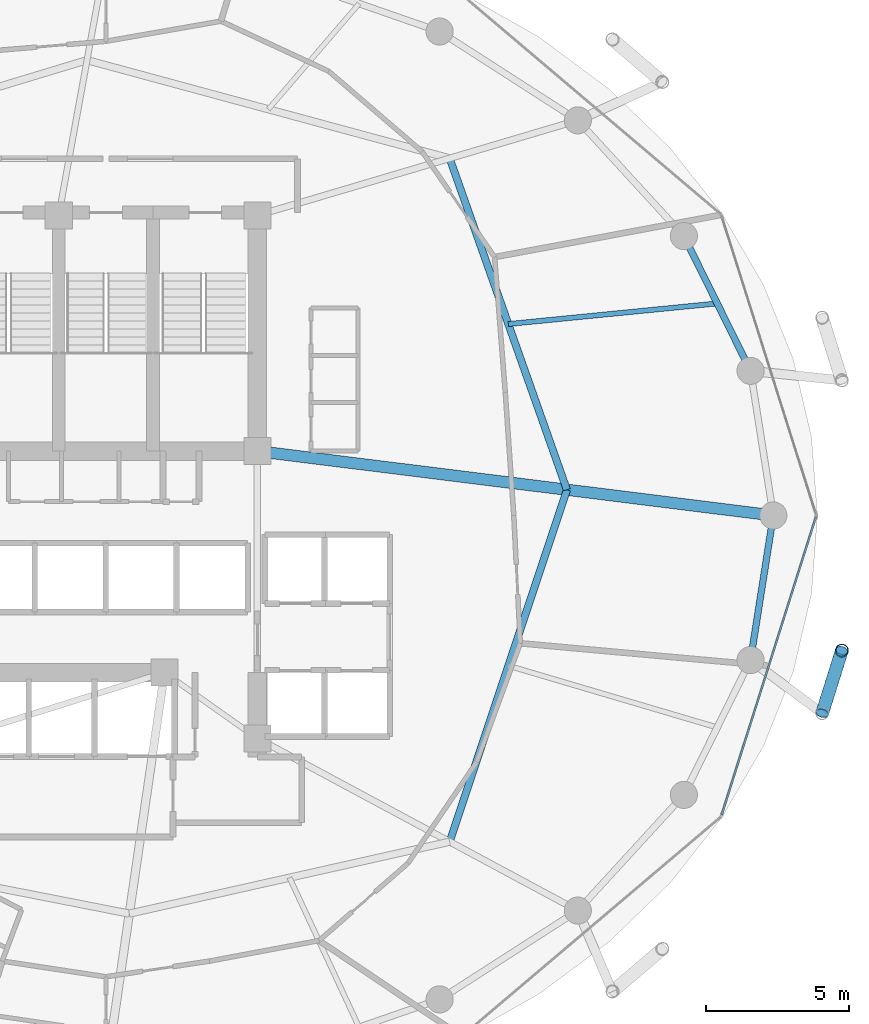
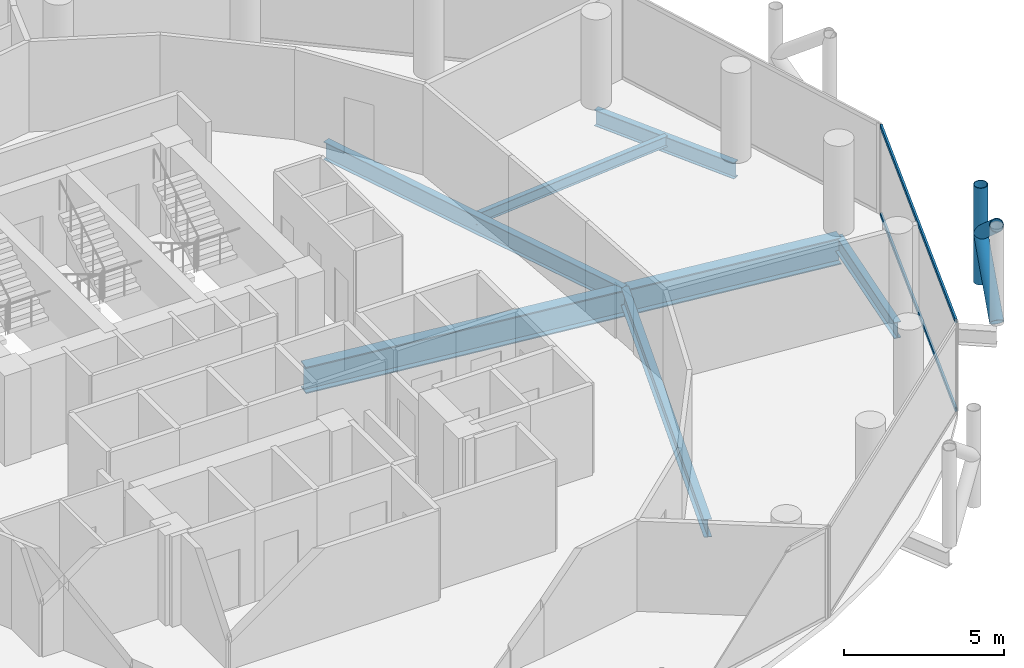
# One storey, part 11 of 26: 6 beams, 5 members, 1 element without a shape of its own.
"""IFC4 building model written with IfcOpenShell, lengths in metres."""

from ifc_helpers import new_model, si_unit, direction, frame, origin, origin_2d, place, context, subcontext, project, spatial, hollow_rectangle, hollow_circle, i_section, extrude, material, layer, layer_set, material_profile, profile_set, type_object, element, aggregate, save


model = new_model("IFC4")

# Units and contexts
model_context = context("Model", 3, precision=1e-05, world=origin(), true_north=direction((0.0, 1.0)))
body_context = subcontext(model_context, "Body", "Model", "MODEL_VIEW")
ifc_project = project(units=[si_unit("LENGTHUNIT", "METRE"), si_unit("AREAUNIT", "SQUARE_METRE"), si_unit("VOLUMEUNIT", "CUBIC_METRE"), si_unit("PLANEANGLEUNIT", "RADIAN"), si_unit("MASSUNIT", "GRAM", prefix="KILO")], contexts=[model_context])

# Site, building, storey
site_placement = place(None, origin())
site = spatial("IfcSite", under=ifc_project, at=site_placement, CompositionType="ELEMENT")
building_placement = place(site_placement, origin())
building = spatial("IfcBuilding", under=site, at=building_placement, Name="Nuhasar Tower", CompositionType="ELEMENT")
storey_placement = place(building_placement, frame((0.0, 0.0, 162.64990234375)))
storey = spatial("IfcBuildingStorey", under=building, at=storey_placement, Name="L39", CompositionType="ELEMENT", Elevation=162.64990234375)

# Beams
ifc_material_1 = material(Name="Steel S355", Category="steel")
ifc_material_profile_1 = material_profile(ifc_material_1, i_section(OverallWidth=0.25390625, OverallDepth=0.68408203125, WebThickness=0.012451171875, FlangeThickness=0.018798828125, at=origin_2d()), Name="W27X94")
ifc_profile_set_1 = profile_set([ifc_material_profile_1], Name="Steel S355")
beam_type_1 = type_object("IfcBeamType", Name="BM-INRING-W27X94", PredefinedType="BEAM", material=ifc_profile_set_1)
beam_1_placement = place(storey_placement, frame((51.027099609375, 15.385986328125, -0.591796875), z_axis=(0.31609797573, 0.948726551615, 0.0), x_axis=(-0.948726551615, 0.31609797573, 0.0)))
element("IfcBeam", 1, at=beam_1_placement, inside=storey, type_object=beam_type_1, Name="L39 Inner Header Beam 03", PredefinedType="BEAM", context=body_context, shape_type="SweptSolid", body=[
    extrude(i_section(OverallWidth=0.25390625, OverallDepth=0.68408203125, WebThickness=0.012451171875, FlangeThickness=0.018798828125, at=origin_2d()), origin(), (0.0, 0.0, 1.0), 12.9794921875),
])
beam_2_placement = place(storey_placement, frame((55.1298828125, 27.699951171875, -0.591796875), z_axis=(-0.333599821096, 0.942714781556, 0.0), x_axis=(-0.942714781556, -0.333599821096, 0.0)))
element("IfcBeam", 2, at=beam_2_placement, inside=storey, type_object=beam_type_1, Name="L39 Inner Header Beam 04", PredefinedType="BEAM", context=body_context, shape_type="SweptSolid", body=[
    extrude(i_section(OverallWidth=0.25390625, OverallDepth=0.68408203125, WebThickness=0.012451171875, FlangeThickness=0.018798828125, at=origin_2d()), origin(), (0.0, 0.0, 1.0), 12.298583984375),
])
ifc_material_profile_2 = material_profile(ifc_material_1, i_section(OverallWidth=0.177978515625, OverallDepth=0.406005859375, WebThickness=0.0078125, FlangeThickness=0.0126953125, at=origin_2d()), Name="W16X40")
ifc_profile_set_2 = profile_set([ifc_material_profile_2], Name="Steel S355")
beam_type_2 = type_object("IfcBeamType", Name="BM-JST-W16X40", PredefinedType="JOIST", material=ifc_profile_set_2)
beam_3_placement = place(storey_placement, frame((53.0791015625, 33.4970703125, -0.452880859375), z_axis=(0.995170244515, 0.098164068947, 0.0), x_axis=(-0.098164068947, 0.995170244515, 0.0)))
element("IfcBeam", 3, at=beam_3_placement, inside=storey, type_object=beam_type_2, Name="L39 Secondary Floor Joist 04", PredefinedType="JOIST", context=body_context, shape_type="SweptSolid", body=[
    extrude(i_section(OverallWidth=0.177978515625, OverallDepth=0.406005859375, WebThickness=0.0078125, FlangeThickness=0.0126953125, at=origin_2d()), origin(), (0.0, 0.0, 1.0), 7.34423828125),
])
ifc_material_profile_3 = material_profile(ifc_material_1, i_section(OverallWidth=0.22998046875, OverallDepth=0.616943359375, WebThickness=0.01318359375, FlangeThickness=0.022216796875, at=origin_2d()), Name="W24X94")
ifc_profile_set_3 = profile_set([ifc_material_profile_3], Name="Steel S355")
beam_type_3 = type_object("IfcBeamType", Name="BM-RING-W24X94", PredefinedType="SPANDREL", material=ifc_profile_set_3)
beam_4_placement = place(storey_placement, frame((61.553955078125, 31.860107421875, -0.558837890625), z_axis=(-0.443347771709, 0.896349682501, 0.0), x_axis=(-0.896349682501, -0.443347771709, 0.0)))
element("IfcBeam", 4, at=beam_4_placement, inside=storey, type_object=beam_type_3, Name="L39 Perimeter Ring Spandrel 02", PredefinedType="SPANDREL", context=body_context, shape_type="SweptSolid", body=[
    extrude(i_section(OverallWidth=0.22998046875, OverallDepth=0.616943359375, WebThickness=0.01318359375, FlangeThickness=0.022216796875, at=origin_2d()), origin(), (0.0, 0.0, 1.0), 5.260009765625),
])
beam_5_placement = place(storey_placement, frame((61.553955078125, 21.739990234375, -0.558837890625), z_axis=(0.155426543608, 0.987847452566, 0.0), x_axis=(-0.987847452566, 0.155426543608, 0.0)))
element("IfcBeam", 5, at=beam_5_placement, inside=storey, type_object=beam_type_3, Name="L39 Perimeter Ring Spandrel 24", PredefinedType="SPANDREL", context=body_context, shape_type="SweptSolid", body=[
    extrude(i_section(OverallWidth=0.22998046875, OverallDepth=0.616943359375, WebThickness=0.01318359375, FlangeThickness=0.022216796875, at=origin_2d()), origin(), (0.0, 0.0, 1.0), 5.122314453125),
])
ifc_material_2 = material(Name="Steel S460", Category="steel")
ifc_material_profile_4 = material_profile(ifc_material_2, i_section(OverallWidth=0.40087890625, OverallDepth=1.010009765625, WebThickness=0.023681640625, FlangeThickness=0.0419921875, at=origin_2d()), Name="W40X297")
ifc_profile_set_4 = profile_set([ifc_material_profile_4], Name="Steel S460")
beam_type_4 = type_object("IfcBeamType", Name="BM-XFER-W40X297", PredefinedType="USERDEFINED", material=ifc_profile_set_4)
beam_6_placement = place(storey_placement, frame((44.300048828125, 29.050048828125, -0.7548828125), z_axis=(0.992320149485, -0.123696082908, 0.0), x_axis=(0.123696082908, 0.992320149485, 0.0)))
element("IfcBeam", 6, at=beam_6_placement, inside=storey, type_object=beam_type_4, Name="L39 Radial Floor Girder 04", ObjectType="GIRDER", PredefinedType="USERDEFINED", context=body_context, shape_type="SweptSolid", body=[
    extrude(i_section(OverallWidth=0.40087890625, OverallDepth=1.010009765625, WebThickness=0.023681640625, FlangeThickness=0.0419921875, at=origin_2d()), origin(), (0.0, 0.0, 1.0), 18.189697265625),
])

# Curtain wall, members
ifc_material_3 = material(Name="Aluminium 6063-T6", Category="aluminium")
ifc_layer = layer(ifc_material_3, 0.199951171875)
ifc_layer_set = layer_set([ifc_layer], Name="Aluminium 6063-T6")
curtain_wall_type = type_object("IfcCurtainWallType", Name="CW-Z2-HTL", PredefinedType="NOTDEFINED", material=ifc_layer_set)
curtain_wall_placement = place(storey_placement, origin())
curtain_wall = element("IfcCurtainWall", 7, at=curtain_wall_placement, inside=storey, type_object=curtain_wall_type, Name="L39 Unitised Curtain Wall 12", PredefinedType="NOTDEFINED")
ifc_material_profile_5 = material_profile(ifc_material_3, hollow_rectangle(XDim=0.070068359375, YDim=0.159912109375, WallThickness=0.00439453125, at=origin_2d()), Name="CWT-3")
ifc_profile_set_5 = profile_set([ifc_material_profile_5], Name="Aluminium 6063-T6")
member_type_1 = type_object("IfcMemberType", Name="CW-TRN-S3", PredefinedType="USERDEFINED", material=ifc_profile_set_5)
member_1_placement = place(storey_placement, frame((60.550048828125, 16.336669921875, 0.03515625), z_axis=(0.301608163352, 0.953431967053, 0.0), x_axis=(-0.953431967053, 0.301608163352, 0.0)))
member_1 = element("IfcMember", 8, at=member_1_placement, type_object=member_type_1, Name="CW-Z2 transom 1.1", ObjectType="TRANSOM", PredefinedType="USERDEFINED", context=body_context, shape_type="SweptSolid", body=[
    extrude(hollow_rectangle(XDim=0.070068359375, YDim=0.159912109375, WallThickness=0.00439453125, at=origin_2d()), origin(), (0.0, 0.0, 1.0), 10.904296875),
])
member_2_placement = place(storey_placement, frame((60.550048828125, 16.336669921875, 3.4150390625), z_axis=(0.301608163352, 0.953431967053, 0.0), x_axis=(-0.953431967053, 0.301608163352, 0.0)))
member_2 = element("IfcMember", 9, at=member_2_placement, type_object=member_type_1, Name="CW-Z2 transom 1.2", ObjectType="TRANSOM", PredefinedType="USERDEFINED", context=body_context, shape_type="SweptSolid", body=[
    extrude(hollow_rectangle(XDim=0.070068359375, YDim=0.159912109375, WallThickness=0.00439453125, at=origin_2d()), origin(), (0.0, 0.0, 1.0), 10.904296875),
])
aggregate(curtain_wall, [member_1, member_2])

# Members
ifc_material_profile_6 = material_profile(ifc_material_2, hollow_circle(Radius=0.228515625, WallThickness=0.022216796875, at=origin_2d()), Name="HSS457X22.2")
ifc_profile_set_6 = profile_set([ifc_material_profile_6], Name="Steel S460")
member_type_2 = type_object("IfcMemberType", Name="EXO-BRONZE-457", PredefinedType="BRACE", material=ifc_profile_set_6)
member_3_placement = place(storey_placement, frame((64.748046875, 22.073974609375, 0.0), z_axis=(0.0, 0.0, 1.0), x_axis=(1.0, 0.0, 0.0)))
element("IfcMember", 10, at=member_3_placement, inside=storey, type_object=member_type_2, Name="L39 Exoskeleton Chord Column EC-12B", PredefinedType="BRACE", context=body_context, shape_type="SweptSolid", body=[
    extrude(hollow_circle(Radius=0.228515625, WallThickness=0.022216796875, at=origin_2d()), origin(), (0.0, 0.0, 1.0), 3.7001953125),
])
for number, where, z_axis, x_axis, name in (
    (11, (64.06005859375, 19.87890625, 0.0), (0.233055548538, 0.743577869731, 0.626719285599), (-0.954228474306, 0.29907861646, 0.0), "L39 Bronze Diagrid Brace W1-12"),
    (12, (64.748046875, 22.073974609375, 1.85009765625), (-0.233055548538, -0.743577869731, 0.626719285599), (0.954228474306, -0.29907861646, 0.0), "L39 Bronze Diagrid Brace W2-12"),
):
    element("IfcMember", number, at=place(storey_placement, frame(where, z_axis=z_axis, x_axis=x_axis)), inside=storey, type_object=member_type_2, Name=name, PredefinedType="BRACE", context=body_context, shape_type="SweptSolid", body=[
        extrude(hollow_circle(Radius=0.228515625, WallThickness=0.022216796875, at=origin_2d()), origin(), (0.0, 0.0, 1.0), 2.9521484375),
    ])

save(model, "model.ifc")
